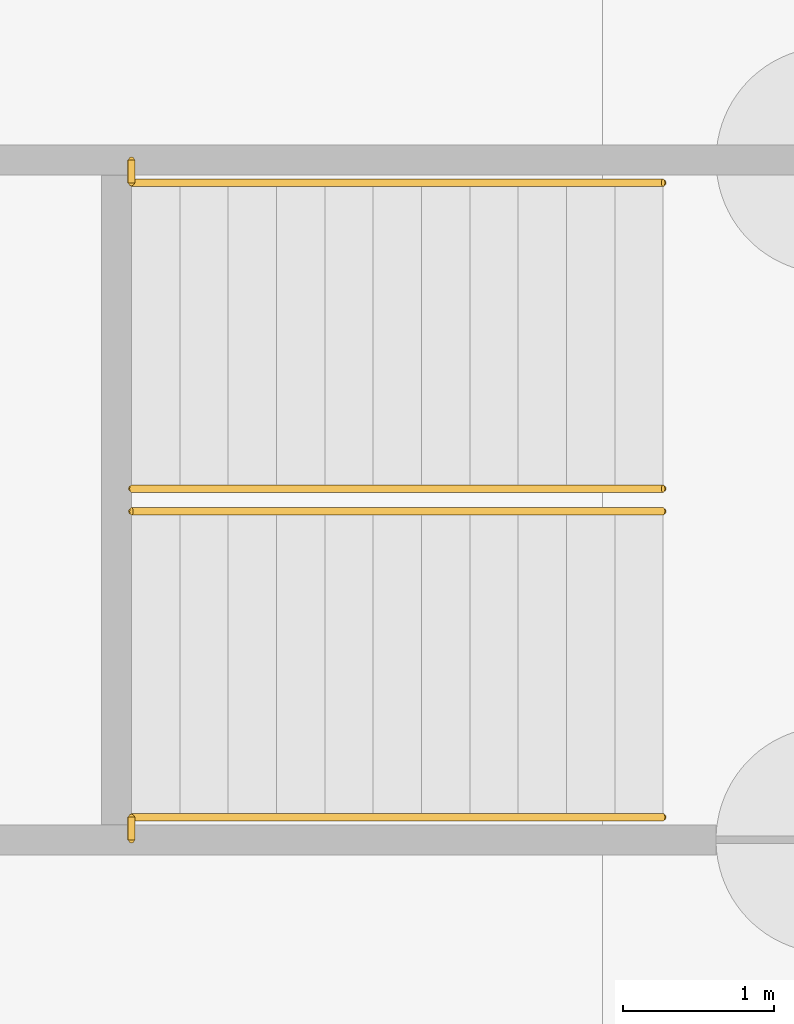
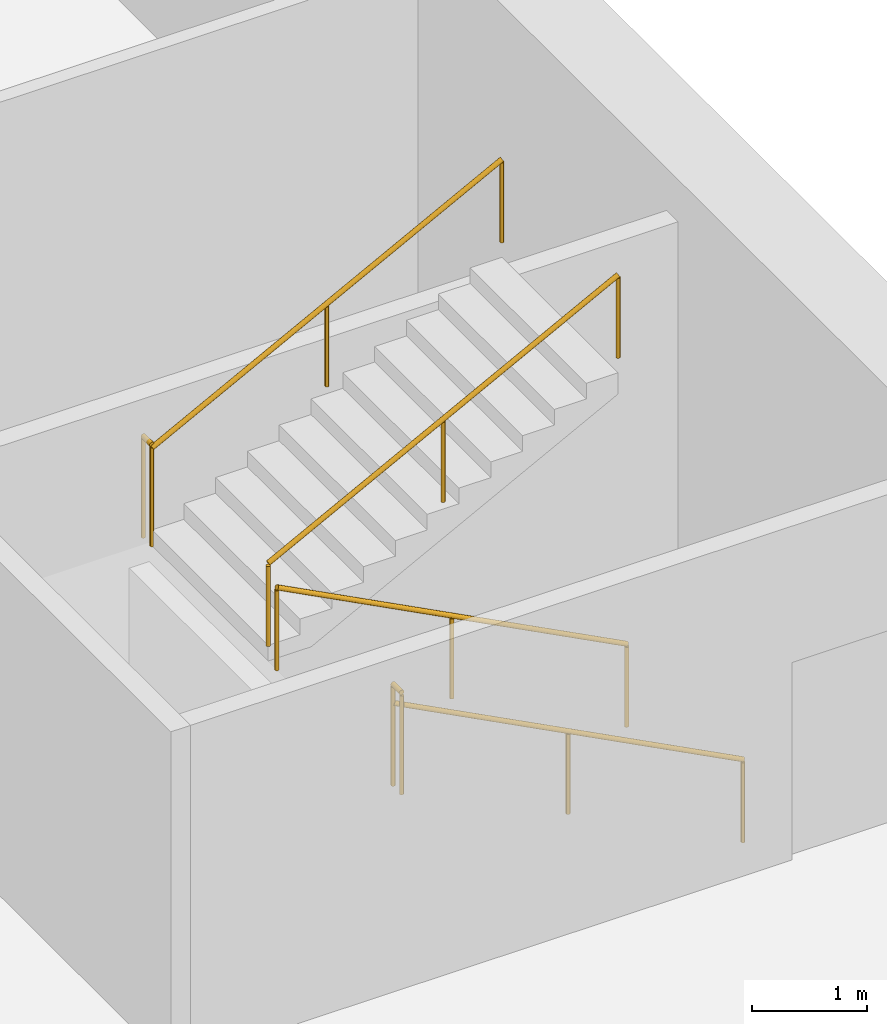
# One storey, part 38 of 40: 6 railings.
"""IFC4 building model written with IfcOpenShell, lengths in metres."""

from ifc_helpers import new_model, si_unit, direction, frame, origin, origin_2d, place, context, subcontext, project, spatial, circle, extrude, source, transform, mapped, material, type_object, element, save


model = new_model("IFC4")

# Units and contexts
model_context = context("Model", 3, precision=1e-05, world=origin(), true_north=direction((0.0, 1.0)))
body_context = subcontext(model_context, "Body", "Model", "MODEL_VIEW")
ifc_project = project(units=[si_unit("LENGTHUNIT", "METRE"), si_unit("AREAUNIT", "SQUARE_METRE"), si_unit("VOLUMEUNIT", "CUBIC_METRE"), si_unit("PLANEANGLEUNIT", "RADIAN"), si_unit("MASSUNIT", "GRAM", prefix="KILO")], contexts=[model_context])

# Site, building, storey
site_placement = place(None, origin())
site = spatial("IfcSite", under=ifc_project, at=site_placement, CompositionType="ELEMENT")
building_placement = place(site_placement, origin())
building = spatial("IfcBuilding", under=site, at=building_placement, Name="Altepetl Exchange Towers", CompositionType="ELEMENT")
storey_placement = place(building_placement, frame((0.0, 0.0, -8.0)))
storey = spatial("IfcBuildingStorey", under=building, at=storey_placement, Name="B2 Basement parking", CompositionType="ELEMENT", Elevation=-8.0)

# Railings
ifc_material_1 = material(Name="Laminated glass and steel", Category="steel")
railing_type_1 = type_object("IfcRailingType", Name="Hall gallery guard 1100", PredefinedType="GUARDRAIL", material=ifc_material_1)
shared_shape_1 = source(origin(), body_context, "Body", "SweptSolid", [
    extrude(circle(Radius=0.02001953125, at=origin_2d()), origin(), (0.0, 0.0, 1.0), 1.050048828125),
])
for number, where, name in (
    (1, (146.8798828125, 27.0, 2.0), "rail:P:B2:ES7land0"),
    (2, (146.8798828125, 31.35009765625, 2.0), "rail:P:B2:ES7land1"),
):
    element("IfcRailing", number, at=place(storey_placement, frame(where)), inside=storey, type_object=railing_type_1, Name=name, PredefinedType="GUARDRAIL", context=body_context, shape_type="SweptSolid", body=[
        extrude(circle(Radius=0.02490234375, at=origin_2d()), frame((0.0, 0.0, 1.0751953125), z_axis=(0.0, 1.0, 0.0), x_axis=(-1.0, 0.0, 0.0)), (0.0, 0.0, 1.0), 0.14990234375),
        mapped(shared_shape_1, transform((0.0, 0.0, 0.0))),
        mapped(shared_shape_1, transform((0.0, 0.14990234375, 0.0))),
    ])
ifc_material_2 = material(Name="Stainless steel", Category="steel")
railing_type_2 = type_object("IfcRailingType", Name="Stair handrail 900", PredefinedType="HANDRAIL", material=ifc_material_2)
shared_shape_2 = source(origin(), body_context, "Body", "SweptSolid", [
    extrude(circle(Radius=0.02001953125, at=origin_2d()), origin(), (0.0, 0.0, 1.0), 0.849853515625),
])
for number, where, name in (
    (3, (150.39990234375, 27.14990234375, 0.166748046875), "rail:P:B2:ES7:1a"),
    (4, (150.39990234375, 29.175048828125, 0.166748046875), "rail:P:B2:ES7:1b"),
):
    element("IfcRailing", number, at=place(storey_placement, frame(where)), inside=storey, type_object=railing_type_2, Name=name, PredefinedType="HANDRAIL", context=body_context, shape_type="SweptSolid", body=[
        extrude(circle(Radius=0.02490234375, at=origin_2d()), frame((0.0, 0.0, 0.875), z_axis=(-0.886923534906, 0.0, 0.461916272965), x_axis=(0.0, -1.0, 0.0)), (0.0, 0.0, 1.0), 3.96875),
        mapped(shared_shape_2, transform((0.0, 0.0, 0.0))),
        mapped(shared_shape_2, transform((-1.760009765625, 0.0, 0.91650390625))),
        mapped(shared_shape_2, transform((-3.52001953125, 0.0, 1.833251953125))),
    ])
for number, where, name in (
    (5, (146.8798828125, 29.324951171875, 2.166748046875), "rail:P:B2:ES7:2a"),
    (6, (146.8798828125, 31.35009765625, 2.166748046875), "rail:P:B2:ES7:2b"),
):
    element("IfcRailing", number, at=place(storey_placement, frame(where)), inside=storey, type_object=railing_type_2, Name=name, PredefinedType="HANDRAIL", context=body_context, shape_type="SweptSolid", body=[
        extrude(circle(Radius=0.02490234375, at=origin_2d()), frame((0.0, 0.0, 0.875), z_axis=(0.886923534906, 0.0, 0.461916272965), x_axis=(0.0, 1.0, 0.0)), (0.0, 0.0, 1.0), 3.96875),
        mapped(shared_shape_2, transform((0.0, 0.0, 0.0))),
        mapped(shared_shape_2, transform((1.760009765625, 0.0, 0.91650390625))),
        mapped(shared_shape_2, transform((3.52001953125, 0.0, 1.833251953125))),
    ])

save(model, "model.ifc")
